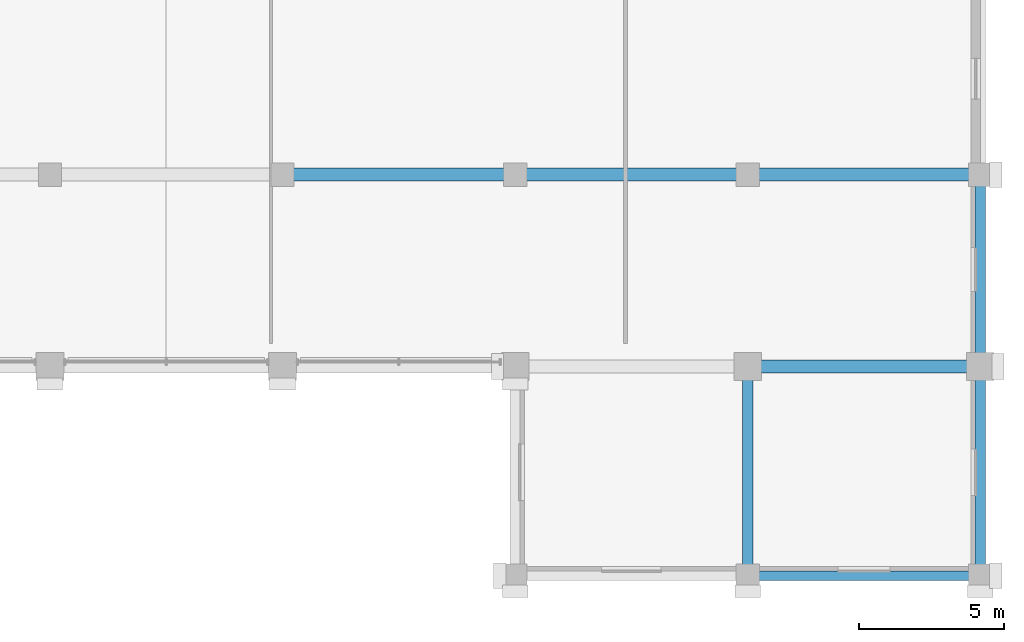
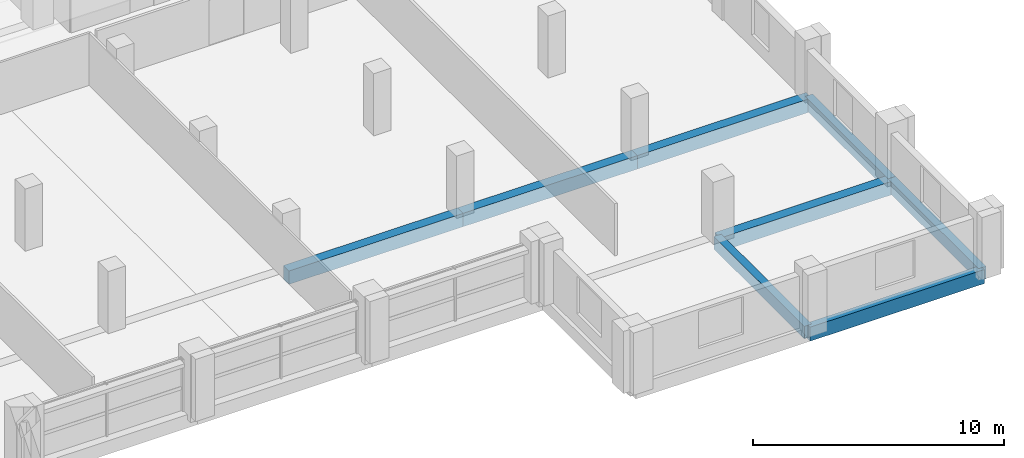
# One storey, part 8 of 23: 8 beams.
"""IFC4 building model written with IfcOpenShell, lengths in metres."""

from ifc_helpers import new_model, si_unit, direction, frame, origin, origin_2d, place, context, subcontext, project, spatial, rectangle, extrude, material, material_profile, profile_set, type_object, element, save


model = new_model("IFC4")

# Units and contexts
model_context = context("Model", 3, precision=1e-05, world=origin(), true_north=direction((0.0, 1.0)))
body_context = subcontext(model_context, "Body", "Model", "MODEL_VIEW")
ifc_project = project(units=[si_unit("LENGTHUNIT", "METRE"), si_unit("AREAUNIT", "SQUARE_METRE"), si_unit("VOLUMEUNIT", "CUBIC_METRE"), si_unit("PLANEANGLEUNIT", "RADIAN"), si_unit("MASSUNIT", "GRAM", prefix="KILO")], contexts=[model_context])

# Site, building, storey
site_placement = place(None, origin())
site = spatial("IfcSite", under=ifc_project, at=site_placement, CompositionType="ELEMENT")
building_placement = place(site_placement, origin())
building = spatial("IfcBuilding", under=site, at=building_placement, Name="Akrevak Sports Hall", CompositionType="ELEMENT")
storey_placement = place(building_placement, frame((0.0, 0.0, 43.800048828125)))
storey = spatial("IfcBuildingStorey", under=building, at=storey_placement, Name="L10", CompositionType="ELEMENT", Elevation=43.800048828125)

# Beams
ifc_material = material(Name="Concrete C40/50", Category="concrete")
ifc_material_profile_1 = material_profile(ifc_material, rectangle(XDim=0.35009765625, YDim=0.60009765625, at=origin_2d()), Name="BM 350x600", Category="concrete")
ifc_profile_set_1 = profile_set([ifc_material_profile_1], Name="Concrete C40/50")
beam_type_1 = type_object("IfcBeamType", Name="STR-BM-RC350x600", PredefinedType="BEAM", material=ifc_profile_set_1)
for number, where, z_axis, x_axis, name in (
    (1, (100.0, 21.60009765625, -0.300048828125), (0.0, 1.0, 0.0), (-1.0, 0.0, 0.0), "Girder 14/D-E (L10)"),
    (2, (108.0, 21.60009765625, -0.300048828125), (0.0, 1.0, 0.0), (-1.0, 0.0, 0.0), "Girder 15/D-E (L10)"),
):
    element("IfcBeam", number, at=place(storey_placement, frame(where, z_axis=z_axis, x_axis=x_axis)), inside=storey, type_object=beam_type_1, Name=name, PredefinedType="BEAM", context=body_context, shape_type="SweptSolid", body=[
        extrude(rectangle(XDim=0.35009765625, YDim=0.60009765625, at=origin_2d()), origin(), (0.0, 0.0, 1.0), 7.199951171875),
    ])
beam_1_placement = place(storey_placement, frame((108.0, 28.800048828125, -0.300048828125), z_axis=(0.0, 1.0, 0.0), x_axis=(-1.0, 0.0, 0.0)))
element("IfcBeam", 3, at=beam_1_placement, inside=storey, type_object=beam_type_1, Name="Girder 15/E-F (L10)", PredefinedType="BEAM", context=body_context, shape_type="SweptSolid", body=[
    extrude(rectangle(XDim=0.35009765625, YDim=0.60009765625, at=origin_2d()), origin(), (0.0, 0.0, 1.0), 6.599853515625),
])
ifc_material_profile_2 = material_profile(ifc_material, rectangle(XDim=0.449951171875, YDim=0.64990234375, at=origin_2d()), Name="BM 450x650", Category="concrete")
ifc_profile_set_2 = profile_set([ifc_material_profile_2], Name="Concrete C40/50")
beam_type_2 = type_object("IfcBeamType", Name="STR-BM-RC450x650", PredefinedType="BEAM", material=ifc_profile_set_2)
for number, where, z_axis, x_axis, name in (
    (4, (100.0, 28.800048828125, -0.324951171875), (1.0, 0.0, 0.0), (0.0, 1.0, 0.0), "Girder E/14-15 (L10)"),
    (5, (84.0, 35.39990234375, -0.324951171875), (1.0, 0.0, 0.0), (0.0, 1.0, 0.0), "Girder F/12-13 (L10)"),
    (6, (92.0, 35.39990234375, -0.324951171875), (1.0, 0.0, 0.0), (0.0, 1.0, 0.0), "Girder F/13-14 (L10)"),
    (7, (100.0, 35.39990234375, -0.324951171875), (1.0, 0.0, 0.0), (0.0, 1.0, 0.0), "Girder F/14-15 (L10)"),
):
    element("IfcBeam", number, at=place(storey_placement, frame(where, z_axis=z_axis, x_axis=x_axis)), inside=storey, type_object=beam_type_2, Name=name, PredefinedType="BEAM", context=body_context, shape_type="SweptSolid", body=[
        extrude(rectangle(XDim=0.449951171875, YDim=0.64990234375, at=origin_2d()), origin(), (0.0, 0.0, 1.0), 8.0),
    ])
ifc_material_profile_3 = material_profile(ifc_material, rectangle(XDim=0.320068359375, YDim=0.679931640625, at=origin_2d()), Name="SPD 320x680", Category="concrete")
ifc_profile_set_3 = profile_set([ifc_material_profile_3], Name="Concrete C40/50")
beam_type_3 = type_object("IfcBeamType", Name="STR-SPD-RC320x680", PredefinedType="SPANDREL", material=ifc_profile_set_3)
beam_2_placement = place(storey_placement, frame((100.0, 21.60009765625, -0.340087890625), z_axis=(1.0, 0.0, 0.0), x_axis=(0.0, 1.0, 0.0)))
element("IfcBeam", 8, at=beam_2_placement, inside=storey, type_object=beam_type_3, Name="Girder D/14-15 (L10)", PredefinedType="SPANDREL", context=body_context, shape_type="SweptSolid", body=[
    extrude(rectangle(XDim=0.320068359375, YDim=0.679931640625, at=origin_2d()), origin(), (0.0, 0.0, 1.0), 8.0),
])

save(model, "model.ifc")
